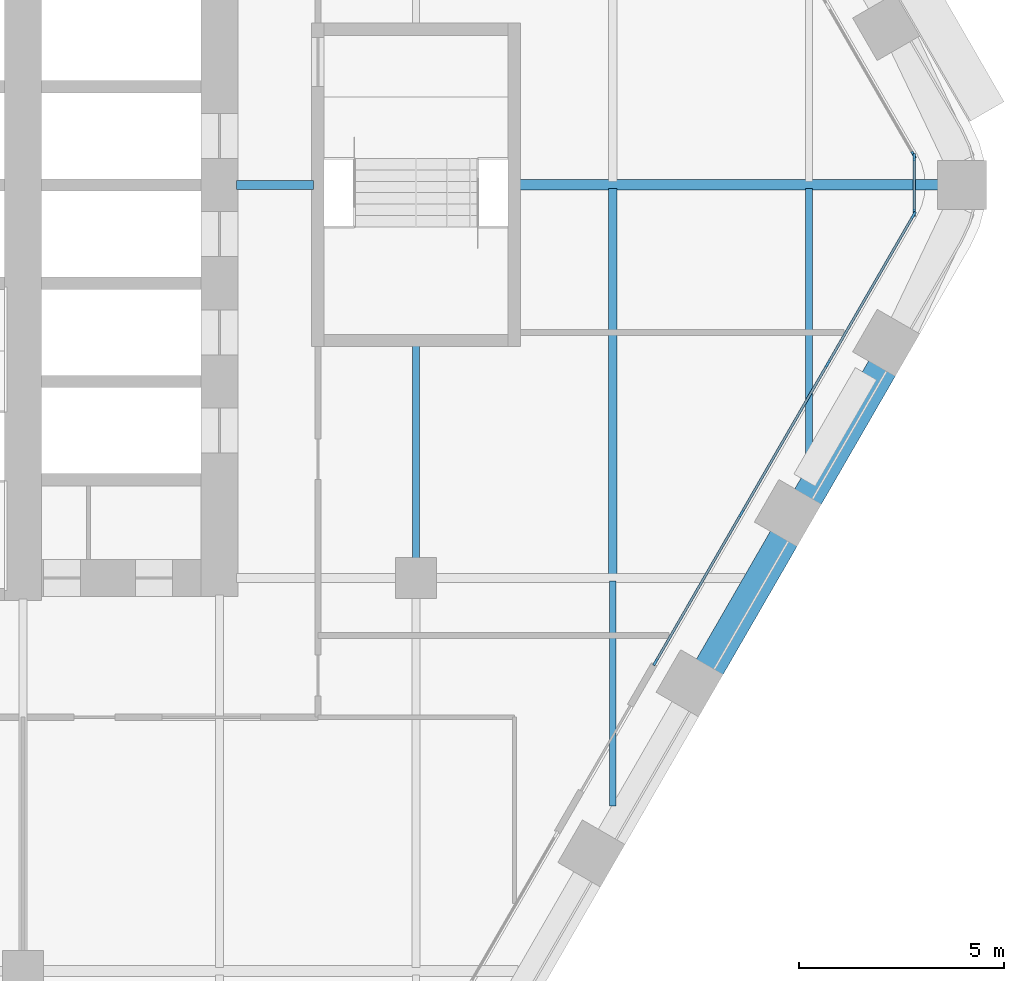
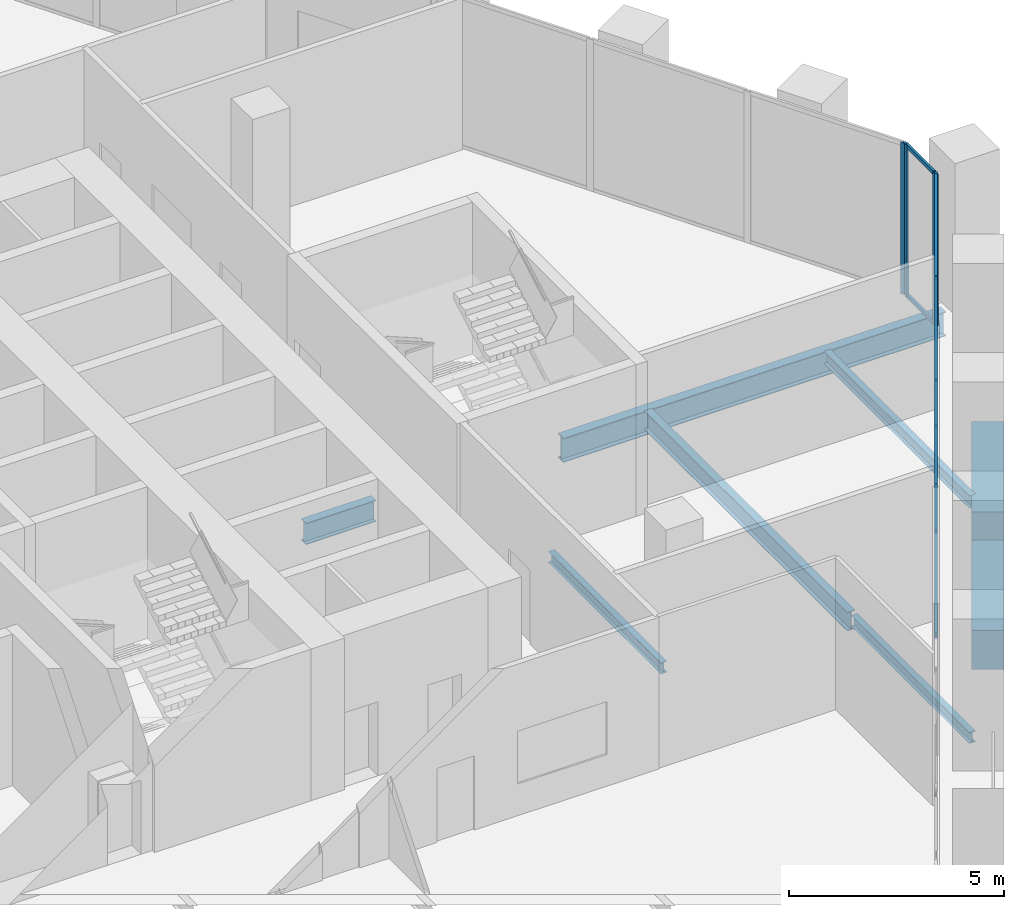
# One storey, part 5 of 22: 15 members, 8 beams, 3 elements without a shape of their own.
"""IFC4 building model written with IfcOpenShell, lengths in metres."""

from ifc_helpers import new_model, si_unit, direction, frame, origin, origin_2d, place, context, subcontext, project, spatial, rectangle, i_section, extrude, material, material_profile, profile_set, type_object, element, aggregate, save


model = new_model("IFC4")

# Units and contexts
model_context = context("Model", 3, precision=1e-05, world=origin(), true_north=direction((0.0, 1.0)))
body_context = subcontext(model_context, "Body", "Model", "MODEL_VIEW")
ifc_project = project(units=[si_unit("LENGTHUNIT", "METRE"), si_unit("AREAUNIT", "SQUARE_METRE"), si_unit("VOLUMEUNIT", "CUBIC_METRE"), si_unit("PLANEANGLEUNIT", "RADIAN"), si_unit("MASSUNIT", "GRAM", prefix="KILO")], contexts=[model_context])

# Site, building, storey
site_placement = place(None, origin())
site = spatial("IfcSite", under=ifc_project, at=site_placement, CompositionType="ELEMENT")
building_placement = place(site_placement, origin())
building = spatial("IfcBuilding", under=site, at=building_placement, Name="Kolab Exchange Tower", CompositionType="ELEMENT")
storey_placement = place(building_placement, frame((0.0, 0.0, 82.39990234375)))
storey = spatial("IfcBuildingStorey", under=building, at=storey_placement, Name="L15", CompositionType="ELEMENT", Elevation=82.39990234375)

# Beams
ifc_material_1 = material(Name="Steel S355", Category="steel")
ifc_material_profile_1 = material_profile(ifc_material_1, i_section(OverallWidth=0.1650390625, OverallDepth=0.31005859375, WebThickness=0.005859375, FlangeThickness=0.009765625, at=origin_2d()), Name="W310X39")
ifc_profile_set_1 = profile_set([ifc_material_profile_1], Name="Steel S355")
beam_type_1 = type_object("IfcBeamType", Name="FLOOR BEAM W310X39", PredefinedType="BEAM", material=ifc_profile_set_1)
beam_1_placement = place(storey_placement, frame((19.199951171875, -9.139892578125, -0.35498046875), z_axis=(0.0, 1.0, 0.0), x_axis=(-1.0, 0.0, 0.0)))
element("IfcBeam", 1, at=beam_1_placement, inside=storey, type_object=beam_type_1, Name="beam/L15/fr/042", PredefinedType="BEAM", context=body_context, shape_type="SweptSolid", body=[
    extrude(i_section(OverallWidth=0.1650390625, OverallDepth=0.31005859375, WebThickness=0.005859375, FlangeThickness=0.009765625, at=origin_2d()), origin(), (0.0, 0.0, 1.0), 5.22998046875),
])
beam_2_placement = place(storey_placement, frame((24.0, -15.167724609375, -0.35498046875), z_axis=(0.0, 1.0, 0.0), x_axis=(-1.0, 0.0, 0.0)))
element("IfcBeam", 2, at=beam_2_placement, inside=storey, type_object=beam_type_1, Name="beam/L15/fr/046", PredefinedType="BEAM", context=body_context, shape_type="SweptSolid", body=[
    extrude(i_section(OverallWidth=0.1650390625, OverallDepth=0.31005859375, WebThickness=0.005859375, FlangeThickness=0.009765625, at=origin_2d()), origin(), (0.0, 0.0, 1.0), 5.49365234375),
])
ifc_material_profile_2 = material_profile(ifc_material_1, i_section(OverallWidth=0.1708984375, OverallDepth=0.35498046875, WebThickness=0.007080078125, FlangeThickness=0.01171875, at=origin_2d()), Name="W360X51")
ifc_profile_set_2 = profile_set([ifc_material_profile_2], Name="Steel S355")
beam_type_2 = type_object("IfcBeamType", Name="FLOOR BEAM W360X51", PredefinedType="BEAM", material=ifc_profile_set_2)
beam_3_placement = place(storey_placement, frame((28.800048828125, -6.853759765625, -0.37744140625), z_axis=(0.0, 1.0, 0.0), x_axis=(-1.0, 0.0, 0.0)))
element("IfcBeam", 3, at=beam_3_placement, inside=storey, type_object=beam_type_2, Name="beam/L15/fr/050", PredefinedType="BEAM", context=body_context, shape_type="SweptSolid", body=[
    extrude(i_section(OverallWidth=0.1708984375, OverallDepth=0.35498046875, WebThickness=0.007080078125, FlangeThickness=0.01171875, at=origin_2d()), origin(), (0.0, 0.0, 1.0), 6.766845703125),
])
ifc_material_profile_3 = material_profile(ifc_material_1, i_section(OverallWidth=0.208984375, OverallDepth=0.532958984375, WebThickness=0.01025390625, FlangeThickness=0.015625, at=origin_2d()), Name="W530X92")
ifc_profile_set_3 = profile_set([ifc_material_profile_3], Name="Steel S355")
beam_type_3 = type_object("IfcBeamType", Name="FLOOR BEAM W530X92", PredefinedType="BEAM", material=ifc_profile_set_3)
beam_4_placement = place(storey_placement, frame((24.0, -9.52587890625, -0.46630859375), z_axis=(0.0, 1.0, 0.0), x_axis=(-1.0, 0.0, 0.0)))
element("IfcBeam", 4, at=beam_4_placement, inside=storey, type_object=beam_type_3, Name="beam/L15/fr/047", PredefinedType="BEAM", context=body_context, shape_type="SweptSolid", body=[
    extrude(i_section(OverallWidth=0.208984375, OverallDepth=0.532958984375, WebThickness=0.01025390625, FlangeThickness=0.015625, at=origin_2d()), origin(), (0.0, 0.0, 1.0), 9.43896484375),
])
ifc_material_profile_4 = material_profile(ifc_material_1, i_section(OverallWidth=0.22802734375, OverallDepth=0.60791015625, WebThickness=0.01123046875, FlangeThickness=0.017333984375, at=origin_2d()), Name="W610X113")
ifc_profile_set_4 = profile_set([ifc_material_profile_4], Name="Steel S355")
beam_type_4 = type_object("IfcBeamType", Name="FLOOR GIRDER W610X113", PredefinedType="BEAM", material=ifc_profile_set_4)
beam_5_placement = place(storey_placement, frame((14.81005859375, 0.0, -0.50390625), z_axis=(1.0, 0.0, 0.0), x_axis=(0.0, 1.0, 0.0)))
element("IfcBeam", 5, at=beam_5_placement, inside=storey, type_object=beam_type_4, Name="beam/L15/gd/015", PredefinedType="BEAM", context=body_context, shape_type="SweptSolid", body=[
    extrude(i_section(OverallWidth=0.22802734375, OverallDepth=0.60791015625, WebThickness=0.01123046875, FlangeThickness=0.017333984375, at=origin_2d()), origin(), (0.0, 0.0, 1.0), 1.8798828125),
])
ifc_material_profile_5 = material_profile(ifc_material_1, i_section(OverallWidth=0.25390625, OverallDepth=0.68408203125, WebThickness=0.012451171875, FlangeThickness=0.018798828125, at=origin_2d()), Name="W690X140")
ifc_profile_set_5 = profile_set([ifc_material_profile_5], Name="Steel S355")
beam_type_5 = type_object("IfcBeamType", Name="FLOOR GIRDER W690X140", PredefinedType="BEAM", material=ifc_profile_set_5)
beam_6_placement = place(storey_placement, frame((21.7099609375, 0.0, -0.5419921875), z_axis=(1.0, 0.0, 0.0), x_axis=(0.0, 1.0, 0.0)))
element("IfcBeam", 6, at=beam_6_placement, inside=storey, type_object=beam_type_5, Name="beam/L15/gd/019", PredefinedType="BEAM", context=body_context, shape_type="SweptSolid", body=[
    extrude(i_section(OverallWidth=0.25390625, OverallDepth=0.68408203125, WebThickness=0.012451171875, FlangeThickness=0.018798828125, at=origin_2d()), origin(), (0.0, 0.0, 1.0), 10.265869140625),
])
ifc_material_2 = material(Name="Concrete C70/85", Category="concrete")
ifc_material_profile_6 = material_profile(ifc_material_2, rectangle(XDim=0.75, YDim=1.10009765625, at=origin_2d()), Name="RC750X1100")
ifc_profile_set_6 = profile_set([ifc_material_profile_6], Name="Concrete C70/85")
beam_type_6 = type_object("IfcBeamType", Name="SPANDREL BEAM 750X1100 C70/85", PredefinedType="BEAM", material=ifc_profile_set_6)
for number, where, z_axis, x_axis, name in (
    (7, (30.59521484375, -4.454345703125, -0.75), (-0.500013413428, -0.866017659399, 0.0), (0.866017659399, -0.500013413428, 0.0), "beam/L15/sp/F3-02"),
    (8, (28.1953125, -8.611328125, -0.75), (-0.500013413428, -0.866017659399, 0.0), (0.866017659399, -0.500013413428, 0.0), "beam/L15/sp/F3-03"),
):
    element("IfcBeam", number, at=place(storey_placement, frame(where, z_axis=z_axis, x_axis=x_axis)), inside=storey, type_object=beam_type_6, Name=name, PredefinedType="BEAM", context=body_context, shape_type="SweptSolid", body=[
        extrude(rectangle(XDim=0.75, YDim=1.10009765625, at=origin_2d()), origin(), (0.0, 0.0, 1.0), 3.68017578125),
    ])

# Curtain wall, member
ifc_material_3 = material(Name="Aluminium EN AW-6063 T6", Category="aluminium")
curtain_wall_type = type_object("IfcCurtainWallType", Name="UNITISED LOWER MID ZONE CURTAIN WALL", PredefinedType="NOTDEFINED", material=ifc_material_3)
curtain_wall_1_placement = place(storey_placement, origin())
curtain_wall_1 = element("IfcCurtainWall", 9, at=curtain_wall_1_placement, inside=storey, type_object=curtain_wall_type, Name="cw/L15/F2-2", PredefinedType="NOTDEFINED")
ifc_material_profile_7 = material_profile(ifc_material_3, rectangle(XDim=0.06005859375, YDim=0.179931640625, at=origin_2d()), Name="RECT 60X180")
ifc_profile_set_7 = profile_set([ifc_material_profile_7], Name="Aluminium EN AW-6063 T6")
member_type_1 = type_object("IfcMemberType", Name="UNITISED LOWER MID ZONE MULLION 60 X 180", PredefinedType="MULLION", material=ifc_profile_set_7)
member_1_placement = place(storey_placement, frame((31.3505859375, 0.736083984375, 0.0), z_axis=(0.0, 0.0, 1.0), x_axis=(0.866025427826, 0.499999958358, 0.0)))
member_1 = element("IfcMember", 10, at=member_1_placement, type_object=member_type_1, Name="CW2 mullion 4", PredefinedType="MULLION", context=body_context, shape_type="SweptSolid", body=[
    extrude(rectangle(XDim=0.06005859375, YDim=0.179931640625, at=origin_2d()), origin(), (0.0, 0.0, 1.0), 4.300048828125),
])
aggregate(curtain_wall_1, [member_1])

# Curtain wall, members
curtain_wall_2_placement = place(storey_placement, origin())
curtain_wall_2 = element("IfcCurtainWall", 11, at=curtain_wall_2_placement, inside=storey, type_object=curtain_wall_type, Name="cw/L15/F3-1", PredefinedType="NOTDEFINED")
member_2_placement = place(storey_placement, frame((31.3505859375, -0.736083984375, 0.0), z_axis=(0.0, 0.0, 1.0), x_axis=(0.866025427826, -0.499999958358, 0.0)))
member_2 = element("IfcMember", 12, at=member_2_placement, type_object=member_type_1, Name="CW2 mullion 1", PredefinedType="MULLION", context=body_context, shape_type="SweptSolid", body=[
    extrude(rectangle(XDim=0.06005859375, YDim=0.179931640625, at=origin_2d()), origin(), (0.0, 0.0, 1.0), 4.300048828125),
])
member_3_placement = place(storey_placement, frame((29.25439453125, -4.366943359375, 0.0), z_axis=(0.0, 0.0, 1.0), x_axis=(0.866025427826, -0.499999958358, 0.0)))
member_3 = element("IfcMember", 13, at=member_3_placement, type_object=member_type_1, Name="CW2 mullion 2", PredefinedType="MULLION", context=body_context, shape_type="SweptSolid", body=[
    extrude(rectangle(XDim=0.06005859375, YDim=0.179931640625, at=origin_2d()), origin(), (0.0, 0.0, 1.0), 4.300048828125),
])
member_4_placement = place(storey_placement, frame((27.14306640625, -8.02392578125, 0.0), z_axis=(0.0, 0.0, 1.0), x_axis=(0.866025427826, -0.499999958358, 0.0)))
member_4 = element("IfcMember", 14, at=member_4_placement, type_object=member_type_1, Name="CW2 mullion 3", PredefinedType="MULLION", context=body_context, shape_type="SweptSolid", body=[
    extrude(rectangle(XDim=0.06005859375, YDim=0.179931640625, at=origin_2d()), origin(), (0.0, 0.0, 1.0), 4.300048828125),
])
member_5_placement = place(storey_placement, frame((25.046630859375, -11.65478515625, 0.0), z_axis=(0.0, 0.0, 1.0), x_axis=(0.866025427826, -0.499999958358, 0.0)))
member_5 = element("IfcMember", 15, at=member_5_placement, type_object=member_type_1, Name="CW2 mullion 4", PredefinedType="MULLION", context=body_context, shape_type="SweptSolid", body=[
    extrude(rectangle(XDim=0.06005859375, YDim=0.179931640625, at=origin_2d()), origin(), (0.0, 0.0, 1.0), 4.300048828125),
])

curtain_wall_3_placement = place(storey_placement, origin())
curtain_wall_3 = element("IfcCurtainWall", 16, at=curtain_wall_3_placement, inside=storey, type_object=curtain_wall_type, Name="cw/L15/F2F3-corner", PredefinedType="NOTDEFINED")
member_6_placement = place(storey_placement, frame((31.36572265625, 0.679931640625, 0.0), z_axis=(0.0, 0.0, 1.0), x_axis=(1.0, 0.0, 0.0)))
member_6 = element("IfcMember", 17, at=member_6_placement, type_object=member_type_1, Name="CW2 mullion 1", PredefinedType="MULLION", context=body_context, shape_type="SweptSolid", body=[
    extrude(rectangle(XDim=0.06005859375, YDim=0.179931640625, at=origin_2d()), origin(), (0.0, 0.0, 1.0), 4.300048828125),
])
member_7_placement = place(storey_placement, frame((31.36572265625, -0.679931640625, 0.0), z_axis=(0.0, 0.0, 1.0), x_axis=(1.0, 0.0, 0.0)))
member_7 = element("IfcMember", 18, at=member_7_placement, type_object=member_type_1, Name="CW2 mullion 2", PredefinedType="MULLION", context=body_context, shape_type="SweptSolid", body=[
    extrude(rectangle(XDim=0.06005859375, YDim=0.179931640625, at=origin_2d()), origin(), (0.0, 0.0, 1.0), 4.300048828125),
])

# Member
ifc_material_profile_8 = material_profile(ifc_material_3, rectangle(XDim=0.06005859375, YDim=0.1201171875, at=origin_2d()), Name="RECT 60X120")
ifc_profile_set_8 = profile_set([ifc_material_profile_8], Name="Aluminium EN AW-6063 T6")
member_type_2 = type_object("IfcMemberType", Name="UNITISED LOWER MID ZONE TRANSOM 60 X 120", PredefinedType="USERDEFINED", material=ifc_profile_set_8)
member_8_placement = place(storey_placement, frame((31.335693359375, -0.761962890625, 0.030029296875), z_axis=(-0.500027577057, -0.866009481578, 0.0), x_axis=(0.866009481578, -0.500027577057, 0.0)))
member_8 = element("IfcMember", 19, at=member_8_placement, type_object=member_type_2, Name="CW2 transom 1.1", ObjectType="TRANSOM", PredefinedType="USERDEFINED", context=body_context, shape_type="SweptSolid", body=[
    extrude(rectangle(XDim=0.06005859375, YDim=0.1201171875, at=origin_2d()), origin(), (0.0, 0.0, 1.0), 4.132568359375),
])

member_9_placement = place(storey_placement, frame((31.335693359375, -0.761962890625, 4.27001953125), z_axis=(-0.500027577057, -0.866009481578, 0.0), x_axis=(0.866009481578, -0.500027577057, 0.0)))
member_9 = element("IfcMember", 20, at=member_9_placement, type_object=member_type_2, Name="CW2 transom 1.2", ObjectType="TRANSOM", PredefinedType="USERDEFINED", context=body_context, shape_type="SweptSolid", body=[
    extrude(rectangle(XDim=0.06005859375, YDim=0.1201171875, at=origin_2d()), origin(), (0.0, 0.0, 1.0), 4.132568359375),
])

member_10_placement = place(storey_placement, frame((29.2392578125, -4.392822265625, 0.030029296875), z_axis=(-0.49999322259, -0.866029316688, 0.0), x_axis=(0.866029316688, -0.49999322259, 0.0)))
member_10 = element("IfcMember", 21, at=member_10_placement, type_object=member_type_2, Name="CW2 transom 2.1", ObjectType="TRANSOM", PredefinedType="USERDEFINED", context=body_context, shape_type="SweptSolid", body=[
    extrude(rectangle(XDim=0.06005859375, YDim=0.1201171875, at=origin_2d()), origin(), (0.0, 0.0, 1.0), 4.16259765625),
])

member_11_placement = place(storey_placement, frame((29.2392578125, -4.392822265625, 4.27001953125), z_axis=(-0.49999322259, -0.866029316688, 0.0), x_axis=(0.866029316688, -0.49999322259, 0.0)))
member_11 = element("IfcMember", 22, at=member_11_placement, type_object=member_type_2, Name="CW2 transom 2.2", ObjectType="TRANSOM", PredefinedType="USERDEFINED", context=body_context, shape_type="SweptSolid", body=[
    extrude(rectangle(XDim=0.06005859375, YDim=0.1201171875, at=origin_2d()), origin(), (0.0, 0.0, 1.0), 4.16259765625),
])

member_12_placement = place(storey_placement, frame((27.1279296875, -8.0498046875, 0.030029296875), z_axis=(-0.499957688808, -0.866049830784, 0.0), x_axis=(0.866049830784, -0.499957688808, 0.0)))
member_12 = element("IfcMember", 23, at=member_12_placement, type_object=member_type_2, Name="CW2 transom 3.1", ObjectType="TRANSOM", PredefinedType="USERDEFINED", context=body_context, shape_type="SweptSolid", body=[
    extrude(rectangle(XDim=0.06005859375, YDim=0.1201171875, at=origin_2d()), origin(), (0.0, 0.0, 1.0), 4.132568359375),
])

member_13_placement = place(storey_placement, frame((27.1279296875, -8.0498046875, 4.27001953125), z_axis=(-0.499957688808, -0.866049830784, 0.0), x_axis=(0.866049830784, -0.499957688808, 0.0)))
member_13 = element("IfcMember", 24, at=member_13_placement, type_object=member_type_2, Name="CW2 transom 3.2", ObjectType="TRANSOM", PredefinedType="USERDEFINED", context=body_context, shape_type="SweptSolid", body=[
    extrude(rectangle(XDim=0.06005859375, YDim=0.1201171875, at=origin_2d()), origin(), (0.0, 0.0, 1.0), 4.132568359375),
])

aggregate(curtain_wall_2, [member_2, member_3, member_4, member_5, member_8, member_9, member_10, member_11, member_12, member_13])

member_14_placement = place(storey_placement, frame((31.36572265625, 0.64990234375, 0.030029296875), z_axis=(0.0, -1.0, 0.0), x_axis=(1.0, 0.0, 0.0)))
member_14 = element("IfcMember", 25, at=member_14_placement, type_object=member_type_2, Name="CW2 transom 1.1", ObjectType="TRANSOM", PredefinedType="USERDEFINED", context=body_context, shape_type="SweptSolid", body=[
    extrude(rectangle(XDim=0.06005859375, YDim=0.1201171875, at=origin_2d()), origin(), (0.0, 0.0, 1.0), 1.2998046875),
])

member_15_placement = place(storey_placement, frame((31.36572265625, 0.64990234375, 4.27001953125), z_axis=(0.0, -1.0, 0.0), x_axis=(1.0, 0.0, 0.0)))
member_15 = element("IfcMember", 26, at=member_15_placement, type_object=member_type_2, Name="CW2 transom 1.2", ObjectType="TRANSOM", PredefinedType="USERDEFINED", context=body_context, shape_type="SweptSolid", body=[
    extrude(rectangle(XDim=0.06005859375, YDim=0.1201171875, at=origin_2d()), origin(), (0.0, 0.0, 1.0), 1.2998046875),
])

aggregate(curtain_wall_3, [member_6, member_7, member_14, member_15])

save(model, "model.ifc")
